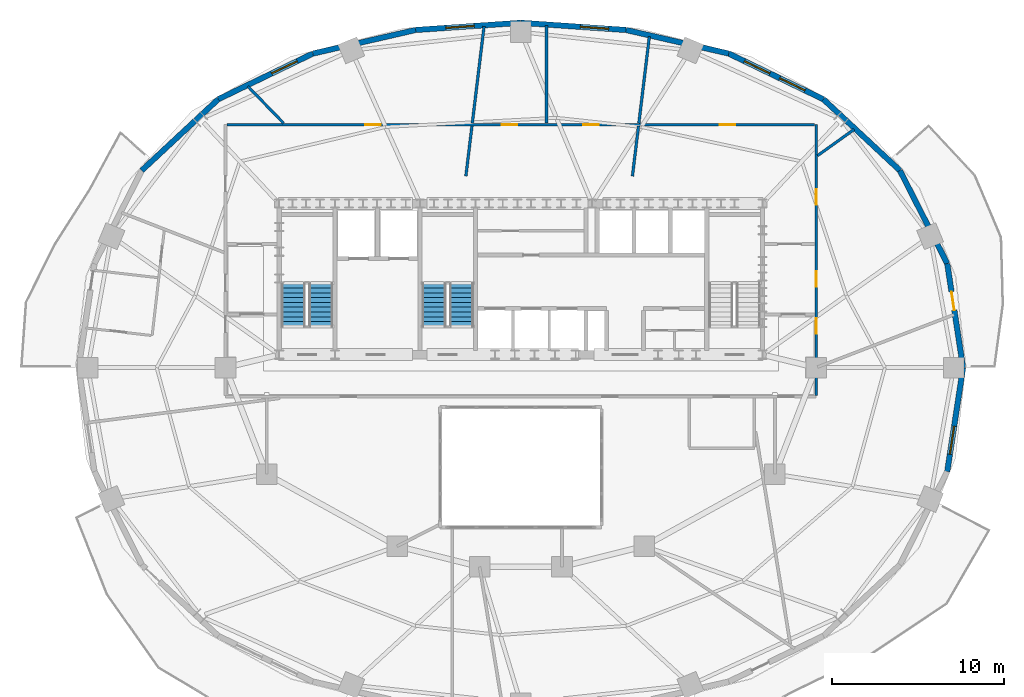
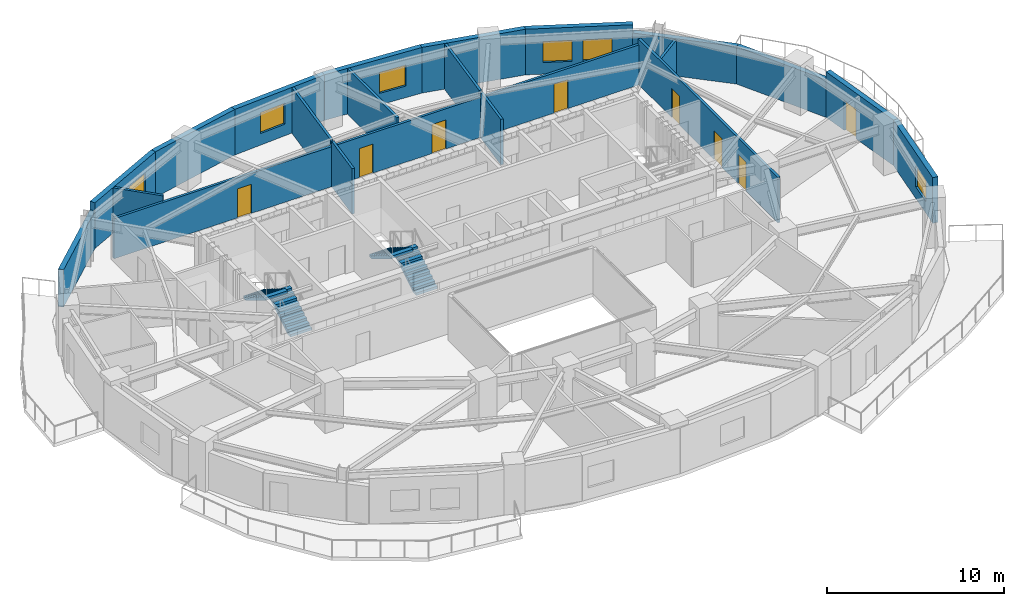
# One storey, part 8 of 12: 20 walls, 8 doors, 6 windows, 4 stair flights, 14 openings, 2 elements without a shape of their own.
"""IFC4 building model written with IfcOpenShell, lengths in metres."""

from ifc_helpers import new_model, si_unit, direction, frame, frame_2d, origin, place, context, subcontext, project, spatial, polyline, rectangle, outline, extrude, material, layer, layer_set, type_object, element, fill, aggregate, save


model = new_model("IFC4")

# Units and contexts
model_context = context("Model", 3, precision=1e-05, world=origin(), true_north=direction((0.0, 1.0)))
body_context = subcontext(model_context, "Body", "Model", "MODEL_VIEW")
ifc_project = project(units=[si_unit("LENGTHUNIT", "METRE"), si_unit("AREAUNIT", "SQUARE_METRE"), si_unit("VOLUMEUNIT", "CUBIC_METRE"), si_unit("PLANEANGLEUNIT", "RADIAN"), si_unit("MASSUNIT", "GRAM", prefix="KILO")], contexts=[model_context])

# Site, building, storey
site_placement = place(None, origin())
site = spatial("IfcSite", under=ifc_project, at=site_placement, CompositionType="ELEMENT")
building_placement = place(site_placement, origin())
building = spatial("IfcBuilding", under=site, at=building_placement, Name="Haldorwick Loom Tower", CompositionType="ELEMENT")
storey_placement = place(building_placement, frame((0.0, 0.0, 146.0)))
storey = spatial("IfcBuildingStorey", under=building, at=storey_placement, Name="L39", CompositionType="ELEMENT", Elevation=146.0)

# Wall, opening, door
ifc_material_1 = material(Name="Pressed Clay Face Brick and Insulated Masonry Backup Assembly", Category="masonry")
ifc_layer_1 = layer(ifc_material_1, 0.320068359375, Name="Pressed Clay Face Brick and Insulated Masonry Backup Assembly", Category="masonry")
ifc_layer_set_1 = layer_set([ifc_layer_1], Name="Pressed Clay Face Brick and Insulated Masonry Backup Assembly")
wall_type_1 = type_object("IfcWallType", Name="ARC-WL-EXT320", PredefinedType="STANDARD", material=ifc_layer_set_1)
wall_1_placement = place(storey_placement, frame((61.757080078125, 26.0, 0.0), z_axis=(0.0, 0.0, 1.0), x_axis=(-0.150544467684, 0.988603238539, 0.0)))
wall_1 = element("IfcWall", 1, at=wall_1_placement, inside=storey, type_object=wall_type_1, Name="L39 Brick Pier and Spandrel Wall 1", PredefinedType="STANDARD", context=body_context, shape_type="SweptSolid", body=[
    extrude(rectangle(XDim=6.125244140625, YDim=0.320068359375, at=frame_2d((3.0625, 0.0))), origin(), (0.0, 0.0, 1.0), 3.14990234375),
])
opening_1_placement = place(wall_1_placement, frame((3.3896484375, 0.0, 0.0)))
opening_1 = element("IfcOpeningElement", 2, at=opening_1_placement, cuts=wall_1, Name="Opening D-BL11", PredefinedType="OPENING", context=body_context, shape_type="SweptSolid", body=[
    extrude(rectangle(XDim=1.080078125, YDim=2.0400390625, at=frame_2d((0.5400390625, 1.02001953125))), frame((0.0, 0.169921875, 0.0), z_axis=(0.0, -1.0, 0.0), x_axis=(1.0, 0.0, 0.0)), (0.0, 0.0, 1.0), 0.340087890625),
])
ifc_material_2 = material(Name="Thermally Broken Anodized Aluminium Curtain Wall Framing", Category="aluminium")
door_type_1 = type_object("IfcDoorType", Name="ARC-DR-BAL110", OperationType="NOTDEFINED", PredefinedType="DOOR", material=ifc_material_2)
door_1_placement = place(opening_1_placement, origin())
door_1 = element("IfcDoor", 3, at=door_1_placement, inside=storey, type_object=door_type_1, Name="L39 Outdoor Terrace Door SLB-L39-BAL_ENE", OperationType="SINGLE_SWING_RIGHT", OverallHeight=2.0400390625, OverallWidth=1.080078125, PredefinedType="DOOR", context=body_context, shape_type="SweptSolid", body=[
    extrude(rectangle(XDim=1.080078125, YDim=2.0400390625, at=frame_2d((0.5400390625, 1.02001953125))), frame((0.0, 0.02490234375, 0.0), z_axis=(0.0, -1.0, 0.0), x_axis=(1.0, 0.0, 0.0)), (0.0, 0.0, 1.0), 0.050048828125),
])
fill(opening_1, door_1)

# Walls
wall_2_placement = place(storey_placement, frame((60.8349609375, 32.055419921875, 0.0), z_axis=(0.0, 0.0, 1.0), x_axis=(-0.453172129629, 0.89142303141, 0.0)))
element("IfcWall", 4, at=wall_2_placement, inside=storey, type_object=wall_type_1, Name="L39 Brick Pier and Spandrel Wall 2", PredefinedType="STANDARD", context=body_context, shape_type="SweptSolid", body=[
    extrude(rectangle(XDim=6.086669921875, YDim=0.320068359375, at=frame_2d((3.04345703125, 0.0))), origin(), (0.0, 0.0, 1.0), 2.5810546875),
])
wall_3_placement = place(storey_placement, frame((58.07666015625, 37.481201171875, 0.0), z_axis=(0.0, 0.0, 1.0), x_axis=(-0.732001571644, 0.681302942244, 0.0)))
element("IfcWall", 5, at=wall_3_placement, inside=storey, type_object=wall_type_1, Name="L39 Brick Pier and Spandrel Wall 3", PredefinedType="STANDARD", context=body_context, shape_type="SweptSolid", body=[
    extrude(rectangle(XDim=6.0869140625, YDim=0.320068359375, at=frame_2d((3.04345703125, 0.0))), origin(), (0.0, 0.0, 1.0), 2.5810546875),
])

# Wall, openings, windows
wall_4_placement = place(storey_placement, frame((53.62109375, 41.628173828125, 0.0), z_axis=(0.0, 0.0, 1.0), x_axis=(-0.900472429216, 0.43491309962, 0.0)))
wall_4 = element("IfcWall", 6, at=wall_4_placement, inside=storey, type_object=wall_type_1, Name="L39 Brick Pier and Spandrel Wall 4", PredefinedType="STANDARD", context=body_context, shape_type="SweptSolid", body=[
    extrude(rectangle(XDim=6.1181640625, YDim=0.320068359375, at=frame_2d((3.05908203125, 0.0))), origin(), (0.0, 0.0, 1.0), 3.14990234375),
])
opening_2_placement = place(wall_4_placement, frame((1.181884765625, 0.0, 0.800048828125)))
opening_2 = element("IfcOpeningElement", 7, at=opening_2_placement, cuts=wall_4, Name="Opening W-01B", PredefinedType="OPENING", context=body_context, shape_type="SweptSolid", body=[
    extrude(rectangle(XDim=1.64990234375, YDim=1.449951171875, at=frame_2d((0.824951171875, 0.72509765625))), frame((0.0, 0.169921875, 0.0), z_axis=(0.0, -1.0, 0.0), x_axis=(1.0, 0.0, 0.0)), (0.0, 0.0, 1.0), 0.340087890625),
])
opening_3_placement = place(wall_4_placement, frame((3.4580078125, 0.0, 0.800048828125)))
opening_3 = element("IfcOpeningElement", 8, at=opening_3_placement, cuts=wall_4, Name="Opening W-01B", PredefinedType="OPENING", context=body_context, shape_type="SweptSolid", body=[
    extrude(rectangle(XDim=1.64990234375, YDim=1.449951171875, at=frame_2d((0.824951171875, 0.72509765625))), frame((0.0, 0.169921875, 0.0), z_axis=(0.0, -1.0, 0.0), x_axis=(1.0, 0.0, 0.0)), (0.0, 0.0, 1.0), 0.340087890625),
])
ifc_material_3 = material(Name="Triple-Glazed Low-E Argon Insulated Glazing Unit", Category="glass")
window_type = type_object("IfcWindowType", Name="ARC-WIN-W165", PartitioningType="SINGLE_PANEL", PredefinedType="WINDOW", material=ifc_material_3)
window_1_placement = place(opening_2_placement, origin())
window_1 = element("IfcWindow", 9, at=window_1_placement, inside=storey, type_object=window_type, Name="L39 Deep-Set Zone 7A Window 4", OverallHeight=1.449951171875, OverallWidth=1.64990234375, PartitioningType="SINGLE_PANEL", PredefinedType="WINDOW", context=body_context, shape_type="SweptSolid", body=[
    extrude(rectangle(XDim=1.64990234375, YDim=1.449951171875, at=frame_2d((0.824951171875, 0.72509765625))), frame((0.0, 0.030029296875, 0.0), z_axis=(0.0, -1.0, 0.0), x_axis=(1.0, 0.0, 0.0)), (0.0, 0.0, 1.0), 0.06005859375),
])
fill(opening_2, window_1)
window_2_placement = place(opening_3_placement, origin())
window_2 = element("IfcWindow", 10, at=window_2_placement, inside=storey, type_object=window_type, Name="L39 Deep-Set Zone 7A Window 4", OverallHeight=1.449951171875, OverallWidth=1.64990234375, PartitioningType="SINGLE_PANEL", PredefinedType="WINDOW", context=body_context, shape_type="SweptSolid", body=[
    extrude(rectangle(XDim=1.64990234375, YDim=1.449951171875, at=frame_2d((0.824951171875, 0.72509765625))), frame((0.0, 0.030029296875, 0.0), z_axis=(0.0, -1.0, 0.0), x_axis=(1.0, 0.0, 0.0)), (0.0, 0.0, 1.0), 0.06005859375),
])
fill(opening_3, window_2)

# Wall
wall_5_placement = place(storey_placement, frame((48.11181640625, 44.2890625, 0.0), z_axis=(0.0, 0.0, 1.0), x_axis=(-0.974593223547, 0.223982250674, 0.0)))
element("IfcWall", 11, at=wall_5_placement, inside=storey, type_object=wall_type_1, Name="L39 Brick Pier and Spandrel Wall 5", PredefinedType="STANDARD", context=body_context, shape_type="SweptSolid", body=[
    extrude(rectangle(XDim=6.138916015625, YDim=0.320068359375, at=frame_2d((3.0693359375, 0.0))), origin(), (0.0, 0.0, 1.0), 3.14990234375),
])

# Wall, opening, window
wall_6_placement = place(storey_placement, frame((42.12890625, 45.6640625, 0.0), z_axis=(0.0, 0.0, 1.0), x_axis=(-0.997652942988, 0.068473391522, 0.0)))
wall_6 = element("IfcWall", 12, at=wall_6_placement, inside=storey, type_object=wall_type_1, Name="L39 Brick Pier and Spandrel Wall 6", PredefinedType="STANDARD", context=body_context, shape_type="SweptSolid", body=[
    extrude(rectangle(XDim=6.143310546875, YDim=0.320068359375, at=frame_2d((3.07177734375, 0.0))), origin(), (0.0, 0.0, 1.0), 3.14990234375),
])
opening_4_placement = place(wall_6_placement, frame((1.01806640625, 0.0, 0.800048828125)))
opening_4 = element("IfcOpeningElement", 13, at=opening_4_placement, cuts=wall_6, Name="Opening W-01B", PredefinedType="OPENING", context=body_context, shape_type="SweptSolid", body=[
    extrude(rectangle(XDim=1.64990234375, YDim=1.449951171875, at=frame_2d((0.824951171875, 0.72509765625))), frame((0.0, 0.169921875, 0.0), z_axis=(0.0, -1.0, 0.0), x_axis=(1.0, 0.0, 0.0)), (0.0, 0.0, 1.0), 0.340087890625),
])
window_3_placement = place(opening_4_placement, origin())
window_3 = element("IfcWindow", 14, at=window_3_placement, inside=storey, type_object=window_type, Name="L39 Deep-Set Zone 7A Window 6", OverallHeight=1.449951171875, OverallWidth=1.64990234375, PartitioningType="SINGLE_PANEL", PredefinedType="WINDOW", context=body_context, shape_type="SweptSolid", body=[
    extrude(rectangle(XDim=1.64990234375, YDim=1.449951171875, at=frame_2d((0.824951171875, 0.72509765625))), frame((0.0, 0.030029296875, 0.0), z_axis=(0.0, -1.0, 0.0), x_axis=(1.0, 0.0, 0.0)), (0.0, 0.0, 1.0), 0.06005859375),
])
fill(opening_4, window_3)

wall_7_placement = place(storey_placement, frame((36.0, 46.084716796875, 0.0), z_axis=(0.0, 0.0, 1.0), x_axis=(-0.997652942988, -0.068473391522, 0.0)))
wall_7 = element("IfcWall", 15, at=wall_7_placement, inside=storey, type_object=wall_type_1, Name="L39 Brick Pier and Spandrel Wall 7", PredefinedType="STANDARD", context=body_context, shape_type="SweptSolid", body=[
    extrude(rectangle(XDim=6.143310546875, YDim=0.320068359375, at=frame_2d((3.07177734375, 0.0))), origin(), (0.0, 0.0, 1.0), 3.14990234375),
])
opening_5_placement = place(wall_7_placement, frame((2.723388671875, 0.0, 0.800048828125)))
opening_5 = element("IfcOpeningElement", 16, at=opening_5_placement, cuts=wall_7, Name="Opening W-01B", PredefinedType="OPENING", context=body_context, shape_type="SweptSolid", body=[
    extrude(rectangle(XDim=1.64990234375, YDim=1.449951171875, at=frame_2d((0.824951171875, 0.72509765625))), frame((0.0, 0.169921875, 0.0), z_axis=(0.0, -1.0, 0.0), x_axis=(1.0, 0.0, 0.0)), (0.0, 0.0, 1.0), 0.340087890625),
])
window_4_placement = place(opening_5_placement, origin())
window_4 = element("IfcWindow", 17, at=window_4_placement, inside=storey, type_object=window_type, Name="L39 Deep-Set Zone 7A Window 7", OverallHeight=1.449951171875, OverallWidth=1.64990234375, PartitioningType="SINGLE_PANEL", PredefinedType="WINDOW", context=body_context, shape_type="SweptSolid", body=[
    extrude(rectangle(XDim=1.64990234375, YDim=1.449951171875, at=frame_2d((0.824951171875, 0.72509765625))), frame((0.0, 0.030029296875, 0.0), z_axis=(0.0, -1.0, 0.0), x_axis=(1.0, 0.0, 0.0)), (0.0, 0.0, 1.0), 0.06005859375),
])
fill(opening_5, window_4)

# Wall
wall_8_placement = place(storey_placement, frame((29.87109375, 45.6640625, 0.0), z_axis=(0.0, 0.0, 1.0), x_axis=(-0.974593223547, -0.223982250674, 0.0)))
element("IfcWall", 18, at=wall_8_placement, inside=storey, type_object=wall_type_1, Name="L39 Brick Pier and Spandrel Wall 8", PredefinedType="STANDARD", context=body_context, shape_type="SweptSolid", body=[
    extrude(rectangle(XDim=6.138916015625, YDim=0.320068359375, at=frame_2d((3.0693359375, 0.0))), origin(), (0.0, 0.0, 1.0), 3.14990234375),
])

# Wall, opening, window
wall_9_placement = place(storey_placement, frame((23.88818359375, 44.2890625, 0.0), z_axis=(0.0, 0.0, 1.0), x_axis=(-0.900479976617, -0.434897472644, 0.0)))
wall_9 = element("IfcWall", 19, at=wall_9_placement, inside=storey, type_object=wall_type_1, Name="L39 Brick Pier and Spandrel Wall 9", PredefinedType="STANDARD", context=body_context, shape_type="SweptSolid", body=[
    extrude(rectangle(XDim=6.118408203125, YDim=0.320068359375, at=frame_2d((3.05908203125, 0.0))), origin(), (0.0, 0.0, 1.0), 3.14990234375),
])
opening_6_placement = place(wall_9_placement, frame((1.010498046875, 0.0, 0.800048828125)))
opening_6 = element("IfcOpeningElement", 20, at=opening_6_placement, cuts=wall_9, Name="Opening W-01B", PredefinedType="OPENING", context=body_context, shape_type="SweptSolid", body=[
    extrude(rectangle(XDim=1.64990234375, YDim=1.449951171875, at=frame_2d((0.824951171875, 0.72509765625))), frame((0.0, 0.169921875, 0.0), z_axis=(0.0, -1.0, 0.0), x_axis=(1.0, 0.0, 0.0)), (0.0, 0.0, 1.0), 0.340087890625),
])
window_5_placement = place(opening_6_placement, origin())
window_5 = element("IfcWindow", 21, at=window_5_placement, inside=storey, type_object=window_type, Name="L39 Deep-Set Zone 7A Window 9", OverallHeight=1.449951171875, OverallWidth=1.64990234375, PartitioningType="SINGLE_PANEL", PredefinedType="WINDOW", context=body_context, shape_type="SweptSolid", body=[
    extrude(rectangle(XDim=1.64990234375, YDim=1.449951171875, at=frame_2d((0.824951171875, 0.72509765625))), frame((0.0, 0.030029296875, 0.0), z_axis=(0.0, -1.0, 0.0), x_axis=(1.0, 0.0, 0.0)), (0.0, 0.0, 1.0), 0.06005859375),
])
fill(opening_6, window_5)

# Wall
wall_10_placement = place(storey_placement, frame((18.378662109375, 41.628173828125, 0.0), z_axis=(0.0, 0.0, 1.0), x_axis=(-0.731982952968, -0.681322945866, 0.0)))
element("IfcWall", 22, at=wall_10_placement, inside=storey, type_object=wall_type_1, Name="L39 Brick Pier and Spandrel Wall 10", PredefinedType="STANDARD", context=body_context, shape_type="SweptSolid", body=[
    extrude(rectangle(XDim=6.086669921875, YDim=0.320068359375, at=frame_2d((3.04345703125, 0.0))), origin(), (0.0, 0.0, 1.0), 2.5810546875),
])

# Wall, opening, window
wall_11_placement = place(storey_placement, frame((60.8349609375, 19.944580078125, 0.0), z_axis=(0.0, 0.0, 1.0), x_axis=(0.150544467684, 0.988603238539, 0.0)))
wall_11 = element("IfcWall", 23, at=wall_11_placement, inside=storey, type_object=wall_type_1, Name="L39 Brick Pier and Spandrel Wall 24", PredefinedType="STANDARD", context=body_context, shape_type="SweptSolid", body=[
    extrude(rectangle(XDim=6.125244140625, YDim=0.320068359375, at=frame_2d((3.0625, 0.0))), origin(), (0.0, 0.0, 1.0), 3.14990234375),
])
opening_7_placement = place(wall_11_placement, frame((1.0126953125, 0.0, 0.800048828125)))
opening_7 = element("IfcOpeningElement", 24, at=opening_7_placement, cuts=wall_11, Name="Opening W-01B", PredefinedType="OPENING", context=body_context, shape_type="SweptSolid", body=[
    extrude(rectangle(XDim=1.64990234375, YDim=1.449951171875, at=frame_2d((0.824951171875, 0.72509765625))), frame((0.0, 0.169921875, 0.0), z_axis=(0.0, -1.0, 0.0), x_axis=(1.0, 0.0, 0.0)), (0.0, 0.0, 1.0), 0.340087890625),
])
window_6_placement = place(opening_7_placement, origin())
window_6 = element("IfcWindow", 25, at=window_6_placement, inside=storey, type_object=window_type, Name="L39 Deep-Set Zone 7A Window 24", OverallHeight=1.449951171875, OverallWidth=1.64990234375, PartitioningType="SINGLE_PANEL", PredefinedType="WINDOW", context=body_context, shape_type="SweptSolid", body=[
    extrude(rectangle(XDim=1.64990234375, YDim=1.449951171875, at=frame_2d((0.824951171875, 0.72509765625))), frame((0.0, 0.030029296875, 0.0), z_axis=(0.0, -1.0, 0.0), x_axis=(1.0, 0.0, 0.0)), (0.0, 0.0, 1.0), 0.06005859375),
])
fill(opening_7, window_6)

# Wall, openings, doors
ifc_material_4 = material(Name="Fire-Rated Type X Gypsum Stud Assembly EI 60")
ifc_layer_2 = layer(ifc_material_4, 0.159912109375, Name="Fire-Rated Type X Gypsum Stud Assembly EI 60")
ifc_layer_set_2 = layer_set([ifc_layer_2], Name="Fire-Rated Type X Gypsum Stud Assembly EI 60")
wall_type_2 = type_object("IfcWallType", Name="ARC-WL-FIRE160", PredefinedType="PARTITIONING", material=ifc_layer_set_2)
wall_12_placement = place(storey_placement, frame((53.199951171875, 24.383056640625, 0.0), z_axis=(0.0, 0.0, 1.0), x_axis=(0.0, 1.0, 0.0)))
wall_12 = element("IfcWall", 26, at=wall_12_placement, inside=storey, type_object=wall_type_2, Name="L39 Residential Fire Partition L39-CR-E0", PredefinedType="PARTITIONING", context=body_context, shape_type="SweptSolid", body=[
    extrude(rectangle(XDim=15.766845703125, YDim=0.159912109375, at=frame_2d((7.88330078125, 0.0))), origin(), (0.0, 0.0, 1.0), 3.135009765625),
])
opening_8_placement = place(wall_12_placement, frame((11.09765625, 0.0, 0.0)))
opening_8 = element("IfcOpeningElement", 27, at=opening_8_placement, cuts=wall_12, Name="Opening D-FD60A", PredefinedType="OPENING", context=body_context, shape_type="SweptSolid", body=[
    extrude(rectangle(XDim=0.89990234375, YDim=2.0, at=frame_2d((0.449951171875, 1.0))), frame((0.0, 0.08984375, 0.0), z_axis=(0.0, -1.0, 0.0), x_axis=(1.0, 0.0, 0.0)), (0.0, 0.0, 1.0), 0.179931640625),
])
opening_9_placement = place(wall_12_placement, frame((6.322998046875, 0.0, 0.0)))
opening_9 = element("IfcOpeningElement", 28, at=opening_9_placement, cuts=wall_12, Name="Opening D-FD60A", PredefinedType="OPENING", context=body_context, shape_type="SweptSolid", body=[
    extrude(rectangle(XDim=0.89990234375, YDim=2.0, at=frame_2d((0.449951171875, 1.0))), frame((0.0, 0.08984375, 0.0), z_axis=(0.0, -1.0, 0.0), x_axis=(1.0, 0.0, 0.0)), (0.0, 0.0, 1.0), 0.179931640625),
])
opening_10_placement = place(wall_12_placement, frame((3.6025390625, 0.0, 0.0)))
opening_10 = element("IfcOpeningElement", 29, at=opening_10_placement, cuts=wall_12, Name="Opening D-FD60A", PredefinedType="OPENING", context=body_context, shape_type="SweptSolid", body=[
    extrude(rectangle(XDim=0.89990234375, YDim=2.0, at=frame_2d((0.449951171875, 1.0))), frame((0.0, 0.08984375, 0.0), z_axis=(0.0, -1.0, 0.0), x_axis=(1.0, 0.0, 0.0)), (0.0, 0.0, 1.0), 0.179931640625),
])
ifc_material_5 = material(Name="Hollow Steel Fire Door Assembly", Category="steel")
door_type_2 = type_object("IfcDoorType", Name="ARC-DR-FD60-90", OperationType="NOTDEFINED", PredefinedType="DOOR", material=ifc_material_5)
door_2_placement = place(opening_8_placement, origin())
door_2 = element("IfcDoor", 30, at=door_2_placement, inside=storey, type_object=door_type_2, Name="L39 L39 North Residential Corridor to Telehealth Consultation Room 1 Doo", OperationType="SINGLE_SWING_LEFT", OverallHeight=2.0, OverallWidth=0.89990234375, PredefinedType="DOOR", context=body_context, shape_type="SweptSolid", body=[
    extrude(rectangle(XDim=0.89990234375, YDim=2.0, at=frame_2d((0.449951171875, 1.0))), frame((0.0, 0.02490234375, 0.0), z_axis=(0.0, -1.0, 0.0), x_axis=(1.0, 0.0, 0.0)), (0.0, 0.0, 1.0), 0.050048828125),
])
fill(opening_8, door_2)
door_3_placement = place(opening_9_placement, origin())
door_3 = element("IfcDoor", 31, at=door_3_placement, inside=storey, type_object=door_type_2, Name="L39 L39 East Residential Corridor to Telehealth Consultation Room 1 Door", OperationType="SINGLE_SWING_RIGHT", OverallHeight=2.0, OverallWidth=0.89990234375, PredefinedType="DOOR", context=body_context, shape_type="SweptSolid", body=[
    extrude(rectangle(XDim=0.89990234375, YDim=2.0, at=frame_2d((0.449951171875, 1.0))), frame((0.0, 0.02490234375, 0.0), z_axis=(0.0, -1.0, 0.0), x_axis=(1.0, 0.0, 0.0)), (0.0, 0.0, 1.0), 0.050048828125),
])
fill(opening_9, door_3)
door_4_placement = place(opening_10_placement, origin())
door_4 = element("IfcDoor", 32, at=door_4_placement, inside=storey, type_object=door_type_2, Name="L39 L39 Central Residential Corridor to Telehealth Consultation Room 1 D", OperationType="SINGLE_SWING_RIGHT", OverallHeight=2.0, OverallWidth=0.89990234375, PredefinedType="DOOR", context=body_context, shape_type="SweptSolid", body=[
    extrude(rectangle(XDim=0.89990234375, YDim=2.0, at=frame_2d((0.449951171875, 1.0))), frame((0.0, 0.02490234375, 0.0), z_axis=(0.0, -1.0, 0.0), x_axis=(1.0, 0.0, 0.0)), (0.0, 0.0, 1.0), 0.050048828125),
])
fill(opening_10, door_4)

wall_13_placement = place(storey_placement, frame((18.883056640625, 40.14990234375, 0.0), z_axis=(0.0, 0.0, 1.0), x_axis=(1.0, 0.0, 0.0)))
wall_13 = element("IfcWall", 33, at=wall_13_placement, inside=storey, type_object=wall_type_2, Name="L39 Residential Fire Partition L39-CR-N0", PredefinedType="PARTITIONING", context=body_context, shape_type="SweptSolid", body=[
    extrude(rectangle(XDim=34.23388671875, YDim=0.159912109375, at=frame_2d((17.116943359375, 0.0))), origin(), (0.0, 0.0, 1.0), 2.76708984375),
])
opening_11_placement = place(wall_13_placement, frame((8.05322265625, 0.0, 0.0)))
opening_11 = element("IfcOpeningElement", 34, at=opening_11_placement, cuts=wall_13, Name="Opening D-FD60A", PredefinedType="OPENING", context=body_context, shape_type="SweptSolid", body=[
    extrude(rectangle(XDim=0.89990234375, YDim=2.0, at=frame_2d((0.449951171875, 1.0))), frame((0.0, 0.08984375, 0.0), z_axis=(0.0, -1.0, 0.0), x_axis=(1.0, 0.0, 0.0)), (0.0, 0.0, 1.0), 0.179931640625),
])
opening_12_placement = place(wall_13_placement, frame((28.7041015625, 0.0, 0.0)))
opening_12 = element("IfcOpeningElement", 35, at=opening_12_placement, cuts=wall_13, Name="Opening D-FD60A", PredefinedType="OPENING", context=body_context, shape_type="SweptSolid", body=[
    extrude(rectangle(XDim=0.89990234375, YDim=2.0, at=frame_2d((0.449951171875, 1.0))), frame((0.0, 0.08984375, 0.0), z_axis=(0.0, -1.0, 0.0), x_axis=(1.0, 0.0, 0.0)), (0.0, 0.0, 1.0), 0.179931640625),
])
opening_13_placement = place(wall_13_placement, frame((20.7529296875, 0.0, 0.0)))
opening_13 = element("IfcOpeningElement", 36, at=opening_13_placement, cuts=wall_13, Name="Opening D-FD60A", PredefinedType="OPENING", context=body_context, shape_type="SweptSolid", body=[
    extrude(rectangle(XDim=0.89990234375, YDim=2.0, at=frame_2d((0.449951171875, 1.0))), frame((0.0, 0.08984375, 0.0), z_axis=(0.0, -1.0, 0.0), x_axis=(1.0, 0.0, 0.0)), (0.0, 0.0, 1.0), 0.179931640625),
])
opening_14_placement = place(wall_13_placement, frame((16.00439453125, 0.0, 0.0)))
opening_14 = element("IfcOpeningElement", 37, at=opening_14_placement, cuts=wall_13, Name="Opening D-FD60A", PredefinedType="OPENING", context=body_context, shape_type="SweptSolid", body=[
    extrude(rectangle(XDim=0.89990234375, YDim=2.0, at=frame_2d((0.449951171875, 1.0))), frame((0.0, 0.08984375, 0.0), z_axis=(0.0, -1.0, 0.0), x_axis=(1.0, 0.0, 0.0)), (0.0, 0.0, 1.0), 0.179931640625),
])
door_5_placement = place(opening_11_placement, frame((0.89990234375, 0.0, 0.0), z_axis=(0.0, 0.0, 1.0), x_axis=(-1.0, 0.0, 0.0)))
door_5 = element("IfcDoor", 38, at=door_5_placement, inside=storey, type_object=door_type_2, Name="L39 Community Teaching Classroom 3 to L39 North Residential Corridor Doo", OperationType="SINGLE_SWING_RIGHT", OverallHeight=2.0, OverallWidth=0.89990234375, PredefinedType="DOOR", context=body_context, shape_type="SweptSolid", body=[
    extrude(rectangle(XDim=0.89990234375, YDim=2.0, at=frame_2d((0.449951171875, 1.0))), frame((0.0, 0.02490234375, 0.0), z_axis=(0.0, -1.0, 0.0), x_axis=(1.0, 0.0, 0.0)), (0.0, 0.0, 1.0), 0.050048828125),
])
fill(opening_11, door_5)
door_6_placement = place(opening_12_placement, frame((0.89990234375, 0.0, 0.0), z_axis=(0.0, 0.0, 1.0), x_axis=(-1.0, 0.0, 0.0)))
door_6 = element("IfcDoor", 39, at=door_6_placement, inside=storey, type_object=door_type_2, Name="L39 Wellness Therapy Room 2 to L39 North Residential Corridor Door", OperationType="SINGLE_SWING_LEFT", OverallHeight=2.0, OverallWidth=0.89990234375, PredefinedType="DOOR", context=body_context, shape_type="SweptSolid", body=[
    extrude(rectangle(XDim=0.89990234375, YDim=2.0, at=frame_2d((0.449951171875, 1.0))), frame((0.0, 0.02490234375, 0.0), z_axis=(0.0, -1.0, 0.0), x_axis=(1.0, 0.0, 0.0)), (0.0, 0.0, 1.0), 0.050048828125),
])
fill(opening_12, door_6)
door_7_placement = place(opening_13_placement, frame((0.89990234375, 0.0, 0.0), z_axis=(0.0, 0.0, 1.0), x_axis=(-1.0, 0.0, 0.0)))
door_7 = element("IfcDoor", 40, at=door_7_placement, inside=storey, type_object=door_type_2, Name="L39 Shared Tea Pantry 4 to L39 North Residential Corridor Door", OperationType="SINGLE_SWING_RIGHT", OverallHeight=2.0, OverallWidth=0.89990234375, PredefinedType="DOOR", context=body_context, shape_type="SweptSolid", body=[
    extrude(rectangle(XDim=0.89990234375, YDim=2.0, at=frame_2d((0.449951171875, 1.0))), frame((0.0, 0.02490234375, 0.0), z_axis=(0.0, -1.0, 0.0), x_axis=(1.0, 0.0, 0.0)), (0.0, 0.0, 1.0), 0.050048828125),
])
fill(opening_13, door_7)
door_8_placement = place(opening_14_placement, frame((0.89990234375, 0.0, 0.0), z_axis=(0.0, 0.0, 1.0), x_axis=(-1.0, 0.0, 0.0)))
door_8 = element("IfcDoor", 41, at=door_8_placement, inside=storey, type_object=door_type_2, Name="L39 Remote Work Office 3 to L39 North Residential Corridor Door", OperationType="SINGLE_SWING_LEFT", OverallHeight=2.0, OverallWidth=0.89990234375, PredefinedType="DOOR", context=body_context, shape_type="SweptSolid", body=[
    extrude(rectangle(XDim=0.89990234375, YDim=2.0, at=frame_2d((0.449951171875, 1.0))), frame((0.0, 0.02490234375, 0.0), z_axis=(0.0, -1.0, 0.0), x_axis=(1.0, 0.0, 0.0)), (0.0, 0.0, 1.0), 0.050048828125),
])
fill(opening_14, door_8)

# Walls
wall_14_placement = place(storey_placement, frame((37.5, 40.23291015625, 0.0), z_axis=(0.0, 0.0, 1.0), x_axis=(0.0, 1.0, 0.0)))
element("IfcWall", 42, at=wall_14_placement, inside=storey, type_object=wall_type_2, Name="L39 Residential Fire Partition L39-NBP-0", PredefinedType="PARTITIONING", context=body_context, shape_type="SweptSolid", body=[
    extrude(rectangle(XDim=5.68359375, YDim=0.159912109375, at=frame_2d((2.841796875, 0.0))), origin(), (0.0, 0.0, 1.0), 3.135009765625),
])
wall_15_placement = place(storey_placement, frame((32.800048828125, 37.14990234375, 0.0), z_axis=(0.0, 0.0, 1.0), x_axis=(0.120475282429, 0.992716327217, 0.0)))
element("IfcWall", 43, at=wall_15_placement, inside=storey, type_object=wall_type_2, Name="L39 Residential Fire Partition L39-UPN-10", PredefinedType="PARTITIONING", context=body_context, shape_type="SweptSolid", body=[
    extrude(rectangle(XDim=2.9384765625, YDim=0.159912109375, at=frame_2d((1.46923828125, 0.0))), origin(), (0.0, 0.0, 1.0), 3.135009765625),
])
wall_16_placement = place(storey_placement, frame((33.17431640625, 40.23291015625, 0.0), z_axis=(0.0, 0.0, 1.0), x_axis=(0.120458424218, 0.992718372971, 0.0)))
element("IfcWall", 44, at=wall_16_placement, inside=storey, type_object=wall_type_2, Name="L39 Residential Fire Partition L39-UPN-10", PredefinedType="PARTITIONING", context=body_context, shape_type="SweptSolid", body=[
    extrude(rectangle(XDim=5.680908203125, YDim=0.159912109375, at=frame_2d((2.84033203125, 0.0))), origin(), (0.0, 0.0, 1.0), 3.135009765625),
])
wall_17_placement = place(storey_placement, frame((42.5, 37.14990234375, 0.0), z_axis=(0.0, 0.0, 1.0), x_axis=(0.120475282429, 0.992716327217, 0.0)))
element("IfcWall", 45, at=wall_17_placement, inside=storey, type_object=wall_type_2, Name="L39 Residential Fire Partition L39-UPN-11", PredefinedType="PARTITIONING", context=body_context, shape_type="SweptSolid", body=[
    extrude(rectangle(XDim=2.9384765625, YDim=0.159912109375, at=frame_2d((1.46923828125, 0.0))), origin(), (0.0, 0.0, 1.0), 3.135009765625),
])
wall_18_placement = place(storey_placement, frame((42.874267578125, 40.23291015625, 0.0), z_axis=(0.0, 0.0, 1.0), x_axis=(0.120456005198, 0.992718666497, 0.0)))
element("IfcWall", 46, at=wall_18_placement, inside=storey, type_object=wall_type_2, Name="L39 Residential Fire Partition L39-UPN-11", PredefinedType="PARTITIONING", context=body_context, shape_type="SweptSolid", body=[
    extrude(rectangle(XDim=5.08935546875, YDim=0.159912109375, at=frame_2d((2.544677734375, 0.0))), origin(), (0.0, 0.0, 1.0), 3.135009765625),
])
wall_19_placement = place(storey_placement, frame((53.282958984375, 38.349365234375, 0.0), z_axis=(0.0, 0.0, 1.0), x_axis=(0.813607438385, 0.581414599236, 0.0)))
element("IfcWall", 47, at=wall_19_placement, inside=storey, type_object=wall_type_2, Name="L39 Suite Split Wall", PredefinedType="PARTITIONING", context=body_context, shape_type="SweptSolid", body=[
    extrude(rectangle(XDim=2.6181640625, YDim=0.159912109375, at=frame_2d((1.30908203125, 0.0))), origin(), (0.0, 0.0, 1.0), 2.508056640625),
])
wall_20_placement = place(storey_placement, frame((22.18701171875, 40.23291015625, 0.0), z_axis=(0.0, 0.0, 1.0), x_axis=(-0.696449497657, 0.717605809071, 0.0)))
element("IfcWall", 48, at=wall_20_placement, inside=storey, type_object=wall_type_2, Name="L39 Suite Split Wall", PredefinedType="PARTITIONING", context=body_context, shape_type="SweptSolid", body=[
    extrude(rectangle(XDim=3.000244140625, YDim=0.159912109375, at=frame_2d((1.5, 0.0))), origin(), (0.0, 0.0, 1.0), 3.135009765625),
])

# Stair, stair flights
ifc_material_6 = material(Name="Concrete C40 (40 MPa)", Category="concrete")
stair_type = type_object("IfcStairType", Name="STR-STR-CORE", PredefinedType="HALF_TURN_STAIR", material=ifc_material_6)
stair_1_placement = place(storey_placement, origin())
stair_1 = element("IfcStair", 49, at=stair_1_placement, inside=storey, type_object=stair_type, Name="L39 Exit Stair ST-01", PredefinedType="HALF_TURN_STAIR")
stair_flight_type = type_object("IfcStairFlightType", Name="STR-STF-1250", PredefinedType="STRAIGHT", material=ifc_material_6)
stair_flight_1_placement = place(storey_placement, frame((24.35009765625, 28.39990234375, 0.0), z_axis=(0.0, 0.0, 1.0), x_axis=(0.0, 1.0, 0.0)))
stair_flight_1 = element("IfcStairFlight", 50, at=stair_flight_1_placement, type_object=stair_flight_type, Name="ST-01 flight 1", NumberOfRisers=10, NumberOfTreads=9, PredefinedType="STRAIGHT", RiserHeight=0.1725, TreadLength=0.28, context=body_context, shape_type="SweptSolid", body=[
    extrude(outline(polyline([(0.0, 0.0), (0.0, 0.172607421875), (0.280029296875, 0.172607421875), (0.280029296875, 0.344970703125), (0.56005859375, 0.344970703125), (0.56005859375, 0.517578125), (0.840087890625, 0.517578125), (0.840087890625, 0.68994140625), (1.1201171875, 0.68994140625), (1.1201171875, 0.862548828125), (1.39990234375, 0.862548828125), (1.39990234375, 1.034912109375), (1.679931640625, 1.034912109375), (1.679931640625, 1.20751953125), (1.9599609375, 1.20751953125), (1.9599609375, 1.3798828125), (2.239990234375, 1.3798828125), (2.239990234375, 1.552490234375), (2.52001953125, 1.552490234375), (2.52001953125, 1.72509765625), (2.52001953125, 1.37646484375), (0.285888671875, 0.0), (0.0, 0.0)])), frame((0.0, 0.699951171875, 0.0), z_axis=(0.0, -1.0, 0.0), x_axis=(1.0, 0.0, 0.0)), (0.0, 0.0, 1.0), 1.39990234375),
])
stair_flight_2_placement = place(storey_placement, frame((22.75, 30.919921875, 1.72509765625), z_axis=(0.0, 0.0, 1.0), x_axis=(0.0, -1.0, 0.0)))
stair_flight_2 = element("IfcStairFlight", 51, at=stair_flight_2_placement, type_object=stair_flight_type, Name="ST-01 flight 2", NumberOfRisers=10, NumberOfTreads=9, PredefinedType="STRAIGHT", RiserHeight=0.1725, TreadLength=0.28, context=body_context, shape_type="SweptSolid", body=[
    extrude(outline(polyline([(0.0, 0.0), (0.0, 0.172607421875), (0.280029296875, 0.172607421875), (0.280029296875, 0.344970703125), (0.56005859375, 0.344970703125), (0.56005859375, 0.517578125), (0.840087890625, 0.517578125), (0.840087890625, 0.68994140625), (1.1201171875, 0.68994140625), (1.1201171875, 0.862548828125), (1.39990234375, 0.862548828125), (1.39990234375, 1.034912109375), (1.679931640625, 1.034912109375), (1.679931640625, 1.20751953125), (1.9599609375, 1.20751953125), (1.9599609375, 1.3798828125), (2.239990234375, 1.3798828125), (2.239990234375, 1.552490234375), (2.52001953125, 1.552490234375), (2.52001953125, 1.72509765625), (2.52001953125, 1.37646484375), (0.285888671875, 0.0), (0.0, 0.0)])), frame((0.0, 0.699951171875, 0.0), z_axis=(0.0, -1.0, 0.0), x_axis=(1.0, 0.0, 0.0)), (0.0, 0.0, 1.0), 1.39990234375),
])
aggregate(stair_1, [stair_flight_1, stair_flight_2])

stair_2_placement = place(storey_placement, origin())
stair_2 = element("IfcStair", 52, at=stair_2_placement, inside=storey, type_object=stair_type, Name="L39 Exit Stair ST-03", PredefinedType="HALF_TURN_STAIR")
stair_flight_3_placement = place(storey_placement, frame((32.550048828125, 28.39990234375, 0.0), z_axis=(0.0, 0.0, 1.0), x_axis=(0.0, 1.0, 0.0)))
stair_flight_3 = element("IfcStairFlight", 53, at=stair_flight_3_placement, type_object=stair_flight_type, Name="ST-03 flight 1", NumberOfRisers=10, NumberOfTreads=9, PredefinedType="STRAIGHT", RiserHeight=0.1725, TreadLength=0.28, context=body_context, shape_type="SweptSolid", body=[
    extrude(outline(polyline([(0.0, 0.0), (0.0, 0.172607421875), (0.280029296875, 0.172607421875), (0.280029296875, 0.344970703125), (0.56005859375, 0.344970703125), (0.56005859375, 0.517578125), (0.840087890625, 0.517578125), (0.840087890625, 0.68994140625), (1.1201171875, 0.68994140625), (1.1201171875, 0.862548828125), (1.39990234375, 0.862548828125), (1.39990234375, 1.034912109375), (1.679931640625, 1.034912109375), (1.679931640625, 1.20751953125), (1.9599609375, 1.20751953125), (1.9599609375, 1.3798828125), (2.239990234375, 1.3798828125), (2.239990234375, 1.552490234375), (2.52001953125, 1.552490234375), (2.52001953125, 1.72509765625), (2.52001953125, 1.37646484375), (0.285888671875, 0.0), (0.0, 0.0)])), frame((0.0, 0.699951171875, 0.0), z_axis=(0.0, -1.0, 0.0), x_axis=(1.0, 0.0, 0.0)), (0.0, 0.0, 1.0), 1.39990234375),
])
stair_flight_4_placement = place(storey_placement, frame((30.949951171875, 30.919921875, 1.72509765625), z_axis=(0.0, 0.0, 1.0), x_axis=(0.0, -1.0, 0.0)))
stair_flight_4 = element("IfcStairFlight", 54, at=stair_flight_4_placement, type_object=stair_flight_type, Name="ST-03 flight 2", NumberOfRisers=10, NumberOfTreads=9, PredefinedType="STRAIGHT", RiserHeight=0.1725, TreadLength=0.28, context=body_context, shape_type="SweptSolid", body=[
    extrude(outline(polyline([(0.0, 0.0), (0.0, 0.172607421875), (0.280029296875, 0.172607421875), (0.280029296875, 0.344970703125), (0.56005859375, 0.344970703125), (0.56005859375, 0.517578125), (0.840087890625, 0.517578125), (0.840087890625, 0.68994140625), (1.1201171875, 0.68994140625), (1.1201171875, 0.862548828125), (1.39990234375, 0.862548828125), (1.39990234375, 1.034912109375), (1.679931640625, 1.034912109375), (1.679931640625, 1.20751953125), (1.9599609375, 1.20751953125), (1.9599609375, 1.3798828125), (2.239990234375, 1.3798828125), (2.239990234375, 1.552490234375), (2.52001953125, 1.552490234375), (2.52001953125, 1.72509765625), (2.52001953125, 1.37646484375), (0.285888671875, 0.0), (0.0, 0.0)])), frame((0.0, 0.699951171875, 0.0), z_axis=(0.0, -1.0, 0.0), x_axis=(1.0, 0.0, 0.0)), (0.0, 0.0, 1.0), 1.39990234375),
])
aggregate(stair_2, [stair_flight_3, stair_flight_4])

save(model, "model.ifc")
